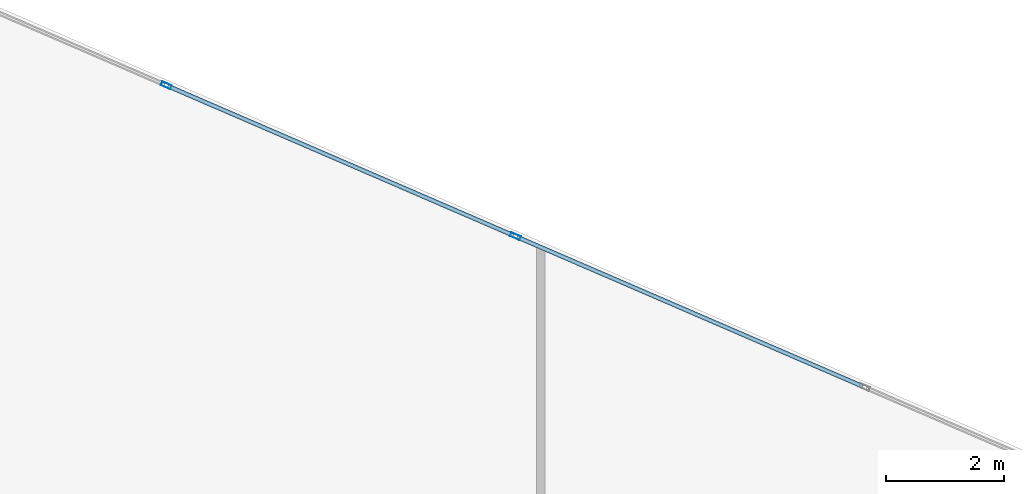
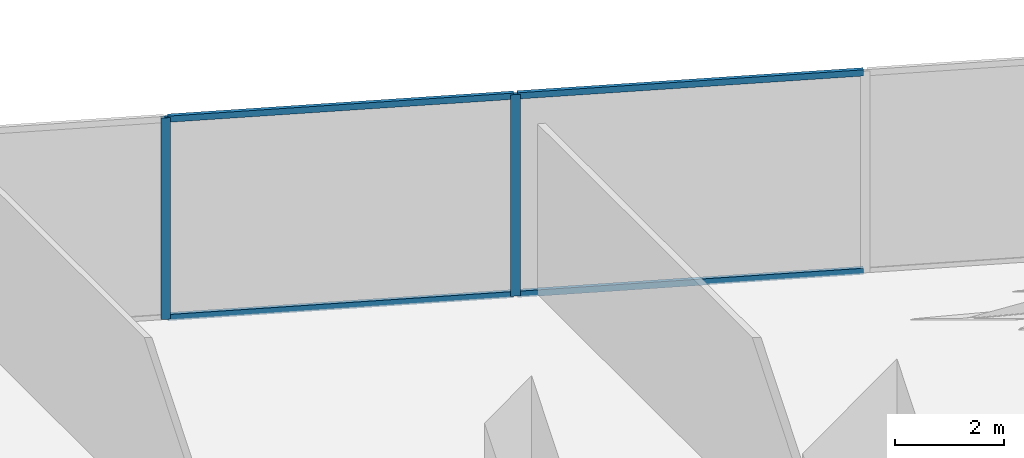
# One storey, part 19 of 24: 6 members, 1 element without a shape of its own.
"""IFC4 building model written with IfcOpenShell, lengths in metres."""

from ifc_helpers import new_model, si_unit, direction, frame, origin, origin_2d, place, context, subcontext, project, spatial, hollow_rectangle, extrude, source, transform, mapped, material, material_profile, profile_set, type_object, type_shapes, element, aggregate, save


model = new_model("IFC4")

# Units and contexts
model_context = context("Model", 3, precision=1e-05, world=origin(), true_north=direction((0.0, 1.0)))
body_context = subcontext(model_context, "Body", "Model", "MODEL_VIEW")
ifc_project = project(units=[si_unit("LENGTHUNIT", "METRE"), si_unit("AREAUNIT", "SQUARE_METRE"), si_unit("VOLUMEUNIT", "CUBIC_METRE"), si_unit("PLANEANGLEUNIT", "RADIAN"), si_unit("MASSUNIT", "GRAM", prefix="KILO")], contexts=[model_context])

# Site, building, storey
site_placement = place(None, origin())
site = spatial("IfcSite", under=ifc_project, at=site_placement, CompositionType="ELEMENT")
building_placement = place(site_placement, origin())
building = spatial("IfcBuilding", under=site, at=building_placement, Name="Krantzveldt Concourse Tower", CompositionType="ELEMENT")
storey_placement = place(building_placement, frame((0.0, 0.0, 141.39990234375)))
storey = spatial("IfcBuildingStorey", under=building, at=storey_placement, Name="L34", CompositionType="ELEMENT", Elevation=141.39990234375)

# Curtain wall, members
ifc_material = material(Name="Anodised aluminium 6063-T6", Category="aluminium")
curtain_wall_type = type_object("IfcCurtainWallType", Name="CW5", PredefinedType="USERDEFINED", material=ifc_material)
curtain_wall_placement = place(storey_placement, origin())
curtain_wall = element("IfcCurtainWall", 1, at=curtain_wall_placement, inside=storey, type_object=curtain_wall_type, Name="CW-L34-F10", ObjectType="UNITISED CURTAIN WALL", PredefinedType="USERDEFINED")
ifc_material_profile_1 = material_profile(ifc_material, hollow_rectangle(XDim=0.070068359375, YDim=0.139892578125, WallThickness=0.0048828125, at=origin_2d()), Name="Anodised aluminium 6063-T6", Category="aluminium")
ifc_profile_set_1 = profile_set([ifc_material_profile_1], Name="Anodised aluminium 6063-T6 - ALU-TRAN 140x70x5")
member_type_1 = type_object("IfcMemberType", Name="CW-TRN-150", PredefinedType="USERDEFINED", material=ifc_profile_set_1)
shared_shape_1 = source(origin(), body_context, "Body", "SweptSolid", [
    extrude(hollow_rectangle(XDim=0.070068359375, YDim=0.139892578125, WallThickness=0.0048828125, at=origin_2d()), origin(), (0.0, 0.0, 1.0), 6.396728515625),
])
member_1_placement = place(storey_placement, frame((51.152099609375, 45.545166015625, 0.03515625), z_axis=(-0.917932552961, 0.396736471998, 0.0), x_axis=(-0.396736471998, -0.917932552961, 0.0)))
member_1 = element("IfcMember", 2, at=member_1_placement, type_object=member_type_1, Name="CW-SKY transom 3.1", ObjectType="TRANSOM", PredefinedType="USERDEFINED", context=body_context, shape_type="MappedRepresentation", body=[
    mapped(shared_shape_1, transform((0.0, 0.0, 0.0), x_axis=(1.0, 0.0, 0.0), y_axis=(0.0, 1.0, 0.0), z_axis=(0.0, 0.0, 1.0), scale=1.0)),
])
member_2_placement = place(storey_placement, frame((51.152099609375, 45.545166015625, 4.485107421875), z_axis=(-0.917932552961, 0.396736471998, 0.0), x_axis=(-0.396736471998, -0.917932552961, 0.0)))
member_2 = element("IfcMember", 3, at=member_2_placement, type_object=member_type_1, Name="CW-SKY transom 3.2", ObjectType="TRANSOM", PredefinedType="USERDEFINED", context=body_context, shape_type="MappedRepresentation", body=[
    mapped(shared_shape_1, transform((0.0, 0.0, 0.0), x_axis=(1.0, 0.0, 0.0), y_axis=(0.0, 1.0, 0.0), z_axis=(0.0, 0.0, 1.0), scale=1.0)),
])
shared_shape_2 = source(origin(), body_context, "Body", "SweptSolid", [
    extrude(hollow_rectangle(XDim=0.070068359375, YDim=0.139892578125, WallThickness=0.0048828125, at=origin_2d()), origin(), (0.0, 0.0, 1.0), 6.396484375),
])
type_shapes(member_type_1, [shared_shape_1, shared_shape_2])
member_3_placement = place(storey_placement, frame((45.216064453125, 48.11083984375, 0.03515625), z_axis=(-0.91792654531, 0.396750371663, 0.0), x_axis=(-0.396750371663, -0.91792654531, 0.0)))
member_3 = element("IfcMember", 4, at=member_3_placement, type_object=member_type_1, Name="CW-SKY transom 4.1", ObjectType="TRANSOM", PredefinedType="USERDEFINED", context=body_context, shape_type="MappedRepresentation", body=[
    mapped(shared_shape_2, transform((0.0, 0.0, 0.0), x_axis=(1.0, 0.0, 0.0), y_axis=(0.0, 1.0, 0.0), z_axis=(0.0, 0.0, 1.0), scale=1.0)),
])
member_4_placement = place(storey_placement, frame((45.216064453125, 48.11083984375, 4.485107421875), z_axis=(-0.91792654531, 0.396750371663, 0.0), x_axis=(-0.396750371663, -0.91792654531, 0.0)))
member_4 = element("IfcMember", 5, at=member_4_placement, type_object=member_type_1, Name="CW-SKY transom 4.2", ObjectType="TRANSOM", PredefinedType="USERDEFINED", context=body_context, shape_type="MappedRepresentation", body=[
    mapped(shared_shape_2, transform((0.0, 0.0, 0.0), x_axis=(1.0, 0.0, 0.0), y_axis=(0.0, 1.0, 0.0), z_axis=(0.0, 0.0, 1.0), scale=1.0)),
])
ifc_material_profile_2 = material_profile(ifc_material, hollow_rectangle(XDim=0.070068359375, YDim=0.179931640625, WallThickness=0.0048828125, at=origin_2d()), Name="Anodised aluminium 6063-T6", Category="aluminium")
ifc_profile_set_2 = profile_set([ifc_material_profile_2], Name="Anodised aluminium 6063-T6 - ALU-MULL 180x70x5")
member_type_2 = type_object("IfcMemberType", Name="CW-MUL-180", PredefinedType="MULLION", material=ifc_profile_set_2)
shared_shape_3 = source(origin(), body_context, "Body", "SweptSolid", [
    extrude(hollow_rectangle(XDim=0.070068359375, YDim=0.179931640625, WallThickness=0.0048828125, at=origin_2d()), origin(), (0.0, 0.0, 1.0), 4.52001953125),
])
type_shapes(member_type_2, [shared_shape_3])
member_5_placement = place(storey_placement, frame((45.248291015625, 48.096923828125, 0.0), z_axis=(0.0, 0.0, 1.0), x_axis=(-0.396747417177, -0.917927822306, 0.0)))
member_5 = element("IfcMember", 6, at=member_5_placement, type_object=member_type_2, Name="CW-SKY mullion 4", PredefinedType="MULLION", context=body_context, shape_type="MappedRepresentation", body=[
    mapped(shared_shape_3, transform((0.0, 0.0, 0.0), x_axis=(1.0, 0.0, 0.0), y_axis=(0.0, 1.0, 0.0), z_axis=(0.0, 0.0, 1.0), scale=1.0)),
])
member_6_placement = place(storey_placement, frame((39.312255859375, 50.66259765625, 0.0), z_axis=(0.0, 0.0, 1.0), x_axis=(-0.396747417177, -0.917927822306, 0.0)))
member_6 = element("IfcMember", 7, at=member_6_placement, type_object=member_type_2, Name="CW-SKY mullion 5", PredefinedType="MULLION", context=body_context, shape_type="MappedRepresentation", body=[
    mapped(shared_shape_3, transform((0.0, 0.0, 0.0), x_axis=(1.0, 0.0, 0.0), y_axis=(0.0, 1.0, 0.0), z_axis=(0.0, 0.0, 1.0), scale=1.0)),
])
aggregate(curtain_wall, [member_5, member_6, member_1, member_2, member_3, member_4])

save(model, "model.ifc")
